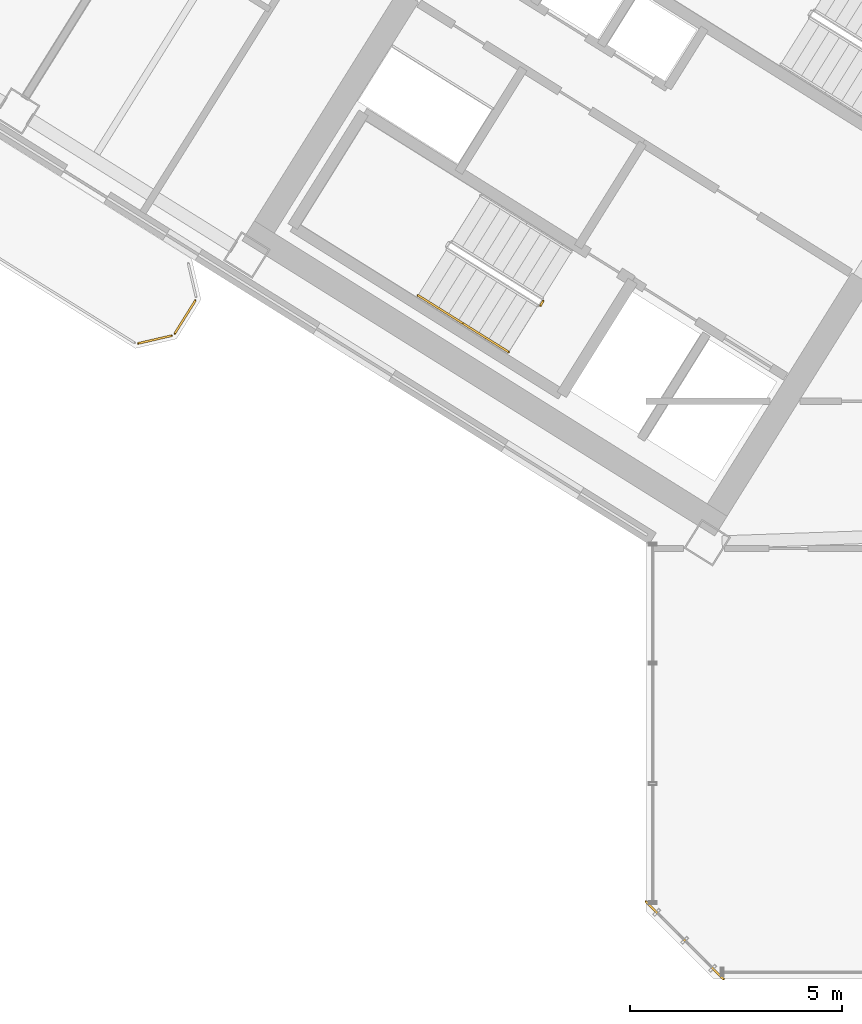
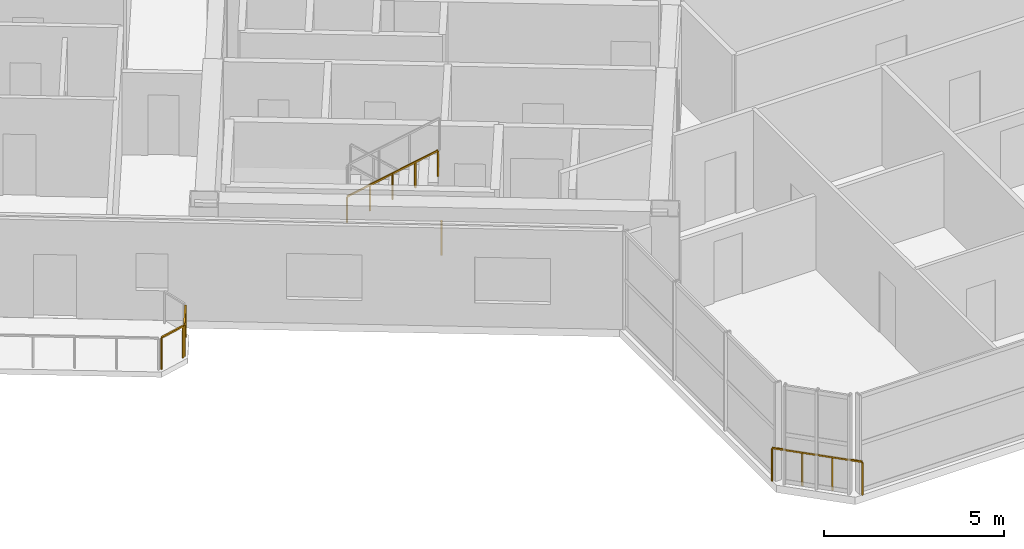
# One storey, part 17 of 21: 6 railings.
"""IFC4 building model written with IfcOpenShell, lengths in metres."""

from ifc_helpers import new_model, si_unit, direction, frame, origin, origin_2d, place, context, subcontext, project, spatial, rectangle, extrude, source, transform, mapped, material, type_object, element, save


model = new_model("IFC4")

# Units and contexts
model_context = context("Model", 3, precision=1e-05, world=origin(), true_north=direction((0.0, 1.0)))
body_context = subcontext(model_context, "Body", "Model", "MODEL_VIEW")
ifc_project = project(units=[si_unit("LENGTHUNIT", "METRE"), si_unit("AREAUNIT", "SQUARE_METRE"), si_unit("VOLUMEUNIT", "CUBIC_METRE"), si_unit("PLANEANGLEUNIT", "RADIAN"), si_unit("MASSUNIT", "GRAM", prefix="KILO")], contexts=[model_context])

# Site, building, storey
site_placement = place(None, origin())
site = spatial("IfcSite", under=ifc_project, at=site_placement, CompositionType="ELEMENT")
building_placement = place(site_placement, origin())
building = spatial("IfcBuilding", under=site, at=building_placement, Name="Tlacorven Tower", CompositionType="ELEMENT")
storey_placement = place(building_placement, frame((0.0, 0.0, 191.39990234375)))
storey = spatial("IfcBuildingStorey", under=building, at=storey_placement, Name="L48", CompositionType="ELEMENT", Elevation=191.39990234375)

# Railings
ifc_material = material(Name="Aluminium and painted steel balustrade", Category="steel")
railing_type_1 = type_object("IfcRailingType", Name="RL-BAL-1100", PredefinedType="BALUSTRADE", material=ifc_material)
shared_shape_1 = source(origin(), body_context, "Body", "SweptSolid", [
    extrude(rectangle(XDim=0.048095703125, YDim=0.048095703125, at=origin_2d()), frame((0.0, 0.0, 1.076171875), z_axis=(-0.52987865805, -0.848073468364, 0.0), x_axis=(0.848073468364, -0.52987865805, 0.0)), (0.0, 0.0, 1.0), 0.912353515625),
    extrude(rectangle(XDim=0.0419921875, YDim=0.0419921875, at=origin_2d()), origin(), (0.0, 0.0, 1.0), 1.052001953125),
    extrude(rectangle(XDim=0.0419921875, YDim=0.0419921875, at=origin_2d()), frame((-0.4833984375, -0.773681640625, 0.0)), (0.0, 0.0, 1.0), 1.052001953125),
])
railing_1_placement = place(storey_placement, frame((20.976318359375, 17.793701171875, 0.0)))
element("IfcRailing", 1, at=railing_1_placement, inside=storey, type_object=railing_type_1, Name="BAL-L48-W-OUT Guard Railing 2", PredefinedType="BALUSTRADE", context=body_context, shape_type="MappedRepresentation", body=[
    mapped(shared_shape_1, transform((0.0, 0.0, 0.0), scale=1.0)),
])
shared_shape_2 = source(origin(), body_context, "Body", "SweptSolid", [
    extrude(rectangle(XDim=0.048095703125, YDim=0.048095703125, at=origin_2d()), frame((0.0, 0.0, 1.076171875), z_axis=(-0.974345290916, -0.225058334816, 0.0), x_axis=(0.225058334816, -0.974345290916, 0.0)), (0.0, 0.0, 1.0), 0.80712890625),
    extrude(rectangle(XDim=0.0419921875, YDim=0.0419921875, at=origin_2d()), origin(), (0.0, 0.0, 1.0), 1.052001953125),
    extrude(rectangle(XDim=0.0419921875, YDim=0.0419921875, at=origin_2d()), frame((-0.786376953125, -0.181640625, 0.0)), (0.0, 0.0, 1.0), 1.052001953125),
])
railing_2_placement = place(storey_placement, frame((20.417724609375, 16.966552734375, 0.0)))
element("IfcRailing", 2, at=railing_2_placement, inside=storey, type_object=railing_type_1, Name="BAL-L48-W-OUT Guard Railing 3", PredefinedType="BALUSTRADE", context=body_context, shape_type="MappedRepresentation", body=[
    mapped(shared_shape_2, transform((0.0, 0.0, 0.0), scale=1.0)),
])
railing_type_2 = type_object("IfcRailingType", Name="RL-GRD-1150", PredefinedType="GUARDRAIL", material=ifc_material)
shared_shape_3 = source(origin(), body_context, "Body", "SweptSolid", [
    extrude(rectangle(XDim=0.048095703125, YDim=0.048095703125, at=origin_2d()), frame((0.0, 0.0, 1.1259765625), z_axis=(-0.707106781187, 0.707106781187, 0.0), x_axis=(-0.707106781187, -0.707106781187, 0.0)), (0.0, 0.0, 1.0), 2.590087890625),
    extrude(rectangle(XDim=0.0419921875, YDim=0.0419921875, at=origin_2d()), origin(), (0.0, 0.0, 1.0), 1.101806640625),
    extrude(rectangle(XDim=0.0419921875, YDim=0.0419921875, at=origin_2d()), frame((-0.610595703125, 0.610595703125, 0.0)), (0.0, 0.0, 1.0), 1.101806640625),
    extrude(rectangle(XDim=0.0419921875, YDim=0.0419921875, at=origin_2d()), frame((-1.220947265625, 1.220947265625, 0.0)), (0.0, 0.0, 1.0), 1.101806640625),
    extrude(rectangle(XDim=0.0419921875, YDim=0.0419921875, at=origin_2d()), frame((-1.83154296875, 1.83154296875, 0.0)), (0.0, 0.0, 1.0), 1.101806640625),
])
railing_3_placement = place(storey_placement, frame((33.428955078125, 1.79736328125, 0.0)))
element("IfcRailing", 3, at=railing_3_placement, inside=storey, type_object=railing_type_2, Name="L48 Knuckle Glazed Sill Guard 1", PredefinedType="GUARDRAIL", context=body_context, shape_type="MappedRepresentation", body=[
    mapped(shared_shape_3, transform((0.0, 0.0, 0.0), scale=1.0)),
])
railing_type_3 = type_object("IfcRailingType", Name="RL-GRD-1100", PredefinedType="GUARDRAIL", material=ifc_material)
shared_shape_4 = source(origin(), body_context, "Body", "SweptSolid", [
    extrude(rectangle(XDim=0.048095703125, YDim=0.048095703125, at=origin_2d()), frame((0.0, 0.0, 1.076171875), z_axis=(-0.529084052582, -0.848569422795, 0.0), x_axis=(0.848569422795, -0.529084052582, 0.0)), (0.0, 0.0, 1.0), 0.119873046875),
    extrude(rectangle(XDim=0.0419921875, YDim=0.0419921875, at=origin_2d()), origin(), (0.0, 0.0, 1.0), 1.052001953125),
    extrude(rectangle(XDim=0.0419921875, YDim=0.0419921875, at=origin_2d()), frame((-0.0634765625, -0.101806640625, 0.0)), (0.0, 0.0, 1.0), 1.052001953125),
])
railing_4_placement = place(storey_placement, frame((29.176513671875, 17.782958984375, 0.0)))
element("IfcRailing", 4, at=railing_4_placement, inside=storey, type_object=railing_type_3, Name="L48 ST-W1 stair guard 4", PredefinedType="GUARDRAIL", context=body_context, shape_type="MappedRepresentation", body=[
    mapped(shared_shape_4, transform((0.0, 0.0, 0.0), scale=1.0)),
])
railing_type_4 = type_object("IfcRailingType", Name="RL-HND-0900", PredefinedType="HANDRAIL", material=ifc_material)
shared_shape_5 = source(origin(), body_context, "Body", "SweptSolid", [
    extrude(rectangle(XDim=0.048095703125, YDim=0.048095703125, at=origin_2d()), frame((0.0, 0.0, 0.8759765625), z_axis=(0.713359751793, -0.4457479829, 0.540764828981), x_axis=(0.529911857636, 0.848052724267, 0.0)), (0.0, 0.0, 1.0), 1.498046875),
    extrude(rectangle(XDim=0.0419921875, YDim=0.0419921875, at=origin_2d()), origin(), (0.0, 0.0, 1.0), 0.851806640625),
    extrude(rectangle(XDim=0.0419921875, YDim=0.0419921875, at=origin_2d()), frame((0.5341796875, -0.333984375, 0.405029296875)), (0.0, 0.0, 1.0), 0.851806640625),
    extrude(rectangle(XDim=0.0419921875, YDim=0.0419921875, at=origin_2d()), frame((1.068603515625, -0.667724609375, 0.81005859375)), (0.0, 0.0, 1.0), 0.851806640625),
])
railing_5_placement = place(storey_placement, frame((26.228759765625, 17.915283203125, 1.97998046875)))
element("IfcRailing", 5, at=railing_5_placement, inside=storey, type_object=railing_type_4, Name="L48 ST-W1 stair handrail 3", PredefinedType="HANDRAIL", context=body_context, shape_type="MappedRepresentation", body=[
    mapped(shared_shape_5, transform((0.0, 0.0, 0.0), scale=1.0)),
])
shared_shape_6 = source(origin(), body_context, "Body", "SweptSolid", [
    extrude(rectangle(XDim=0.048095703125, YDim=0.048095703125, at=origin_2d()), frame((0.0, 0.0, 0.8759765625), z_axis=(0.713279695859, -0.445799809912, 0.540827703579), x_axis=(0.529998940003, 0.847998304005, 0.0)), (0.0, 0.0, 1.0), 1.497802734375),
    extrude(rectangle(XDim=0.0419921875, YDim=0.0419921875, at=origin_2d()), origin(), (0.0, 0.0, 1.0), 0.851806640625),
    extrude(rectangle(XDim=0.0419921875, YDim=0.0419921875, at=origin_2d()), frame((0.5341796875, -0.333984375, 0.405029296875)), (0.0, 0.0, 1.0), 0.851806640625),
    extrude(rectangle(XDim=0.0419921875, YDim=0.0419921875, at=origin_2d()), frame((1.068359375, -0.667724609375, 0.81005859375)), (0.0, 0.0, 1.0), 0.851806640625),
])
railing_6_placement = place(storey_placement, frame((27.29736328125, 17.24755859375, 2.7900390625)))
element("IfcRailing", 6, at=railing_6_placement, inside=storey, type_object=railing_type_4, Name="L48 ST-W1 stair handrail 4", PredefinedType="HANDRAIL", context=body_context, shape_type="MappedRepresentation", body=[
    mapped(shared_shape_6, transform((0.0, 0.0, 0.0), scale=1.0)),
])

save(model, "model.ifc")
